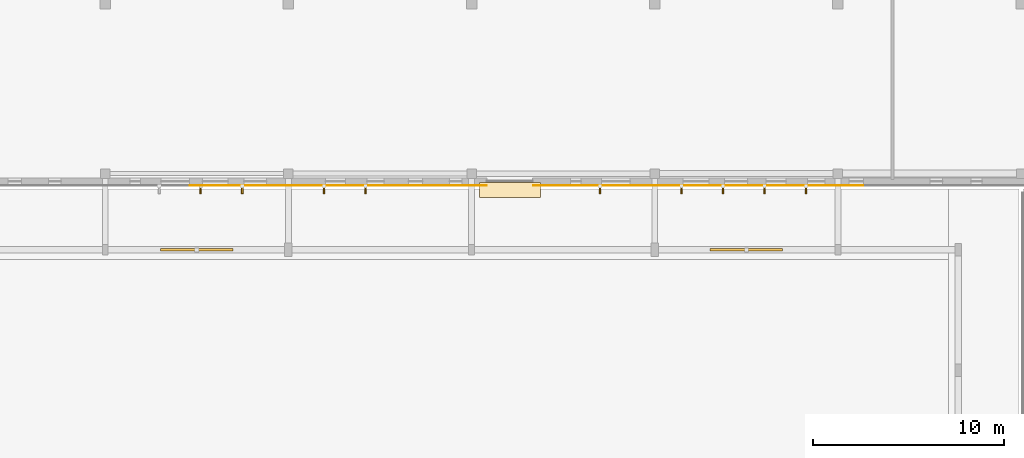
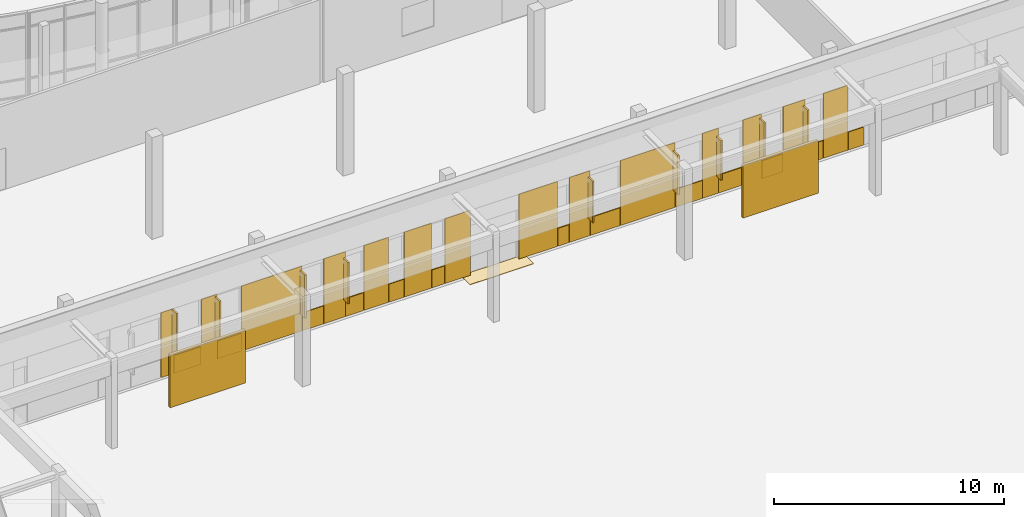
# One storey, part 64 of 84: 28 coverings, 11 shading devices.
"""IFC4 building model written with IfcOpenShell, lengths in metres."""

from ifc_helpers import new_model, si_unit, direction, frame, origin, origin_2d, place, context, subcontext, project, spatial, rectangle, extrude, material, layer, layer_set, type_object, element, save


model = new_model("IFC4")

# Units and contexts
model_context = context("Model", 3, precision=1e-05, world=origin(), true_north=direction((0.0, 1.0)))
body_context = subcontext(model_context, "Body", "Model", "MODEL_VIEW")
ifc_project = project(units=[si_unit("LENGTHUNIT", "METRE"), si_unit("AREAUNIT", "SQUARE_METRE"), si_unit("VOLUMEUNIT", "CUBIC_METRE"), si_unit("PLANEANGLEUNIT", "RADIAN"), si_unit("MASSUNIT", "GRAM", prefix="KILO")], contexts=[model_context])

# Site, building, storey
site_placement = place(None, origin())
site = spatial("IfcSite", under=ifc_project, at=site_placement, CompositionType="ELEMENT")
building_placement = place(site_placement, origin())
building = spatial("IfcBuilding", under=site, at=building_placement, Name="Mzevani Central Library", CompositionType="ELEMENT")
storey_placement = place(building_placement, origin())
storey = spatial("IfcBuildingStorey", under=building, at=storey_placement, Name="L00", CompositionType="ELEMENT", Elevation=0.0)

# Shading devices
ifc_material_1 = material(Name="Anodized architectural bronze")
shading_device_type_1 = type_object("IfcShadingDeviceType", Name="Anodized Bronze Vertical Sun-Breaker Fin", PredefinedType="USERDEFINED", material=ifc_material_1)
shading_device_1_placement = place(storey_placement, frame((100.72998046875, 42.27490234375, 0.9501953125), z_axis=(0.0, 0.0, 1.0), x_axis=(-1.0, 0.0, 0.0)))
element("IfcShadingDevice", 1, at=shading_device_1_placement, inside=storey, type_object=shading_device_type_1, Name="L00 V1 Solar Fin (19)", ObjectType="SOLAR FIN", PredefinedType="USERDEFINED", context=body_context, shape_type="SweptSolid", body=[
    extrude(rectangle(XDim=0.080078125, YDim=0.449951171875, at=origin_2d()), origin(), (0.0, 0.0, 1.0), 2.199951171875),
])
shading_device_2_placement = place(storey_placement, frame((98.554931640625, 42.27490234375, 0.9501953125), z_axis=(0.0, 0.0, 1.0), x_axis=(-1.0, 0.0, 0.0)))
element("IfcShadingDevice", 2, at=shading_device_2_placement, inside=storey, type_object=shading_device_type_1, Name="L00 V1 Solar Fin (20)", ObjectType="SOLAR FIN", PredefinedType="USERDEFINED", context=body_context, shape_type="SweptSolid", body=[
    extrude(rectangle(XDim=0.080078125, YDim=0.449951171875, at=origin_2d()), origin(), (0.0, 0.0, 1.0), 2.300048828125),
])
for number, where, z_axis, x_axis, name in (
    (3, (96.3798828125, 42.27490234375, 0.949951171875), (0.0, 0.0, 1.0), (-1.0, 0.0, 0.0), "L00 V1 Solar Fin (21)"),
    (4, (94.205078125, 42.27490234375, 0.949951171875), (0.0, 0.0, 1.0), (-1.0, 0.0, 0.0), "L00 V1 Solar Fin (22)"),
):
    element("IfcShadingDevice", number, at=place(storey_placement, frame(where, z_axis=z_axis, x_axis=x_axis)), inside=storey, type_object=shading_device_type_1, Name=name, ObjectType="SOLAR FIN", PredefinedType="USERDEFINED", context=body_context, shape_type="SweptSolid", body=[
        extrude(rectangle(XDim=0.080078125, YDim=0.449951171875, at=origin_2d()), origin(), (0.0, 0.0, 1.0), 2.10009765625),
    ])
for number, where, z_axis, x_axis, name in (
    (5, (89.929931640625, 42.27490234375, 0.9501953125), (0.0, 0.0, 1.0), (-1.0, 0.0, 0.0), "L00 V1 Solar Fin (23)"),
    (6, (77.6298828125, 42.27490234375, 0.9501953125), (0.0, 0.0, 1.0), (-1.0, 0.0, 0.0), "L00 V1 Solar Fin (27)"),
):
    element("IfcShadingDevice", number, at=place(storey_placement, frame(where, z_axis=z_axis, x_axis=x_axis)), inside=storey, type_object=shading_device_type_1, Name=name, ObjectType="SOLAR FIN", PredefinedType="USERDEFINED", context=body_context, shape_type="SweptSolid", body=[
        extrude(rectangle(XDim=0.080078125, YDim=0.449951171875, at=origin_2d()), origin(), (0.0, 0.0, 1.0), 2.199951171875),
    ])
shading_device_3_placement = place(storey_placement, frame((75.455078125, 42.27490234375, 0.9501953125), z_axis=(0.0, 0.0, 1.0), x_axis=(-1.0, 0.0, 0.0)))
element("IfcShadingDevice", 7, at=shading_device_3_placement, inside=storey, type_object=shading_device_type_1, Name="L00 V1 Solar Fin (28)", ObjectType="SOLAR FIN", PredefinedType="USERDEFINED", context=body_context, shape_type="SweptSolid", body=[
    extrude(rectangle(XDim=0.080078125, YDim=0.449951171875, at=origin_2d()), origin(), (0.0, 0.0, 1.0), 2.300048828125),
])
shading_device_4_placement = place(storey_placement, frame((71.179931640625, 42.27490234375, 0.949951171875), z_axis=(0.0, 0.0, 1.0), x_axis=(-1.0, 0.0, 0.0)))
element("IfcShadingDevice", 8, at=shading_device_4_placement, inside=storey, type_object=shading_device_type_1, Name="L00 V1 Solar Fin (29)", ObjectType="SOLAR FIN", PredefinedType="USERDEFINED", context=body_context, shape_type="SweptSolid", body=[
    extrude(rectangle(XDim=0.080078125, YDim=0.449951171875, at=origin_2d()), origin(), (0.0, 0.0, 1.0), 2.39990234375),
])
shading_device_5_placement = place(storey_placement, frame((69.0048828125, 42.27490234375, 0.949951171875), z_axis=(0.0, 0.0, 1.0), x_axis=(-1.0, 0.0, 0.0)))
element("IfcShadingDevice", 9, at=shading_device_5_placement, inside=storey, type_object=shading_device_type_1, Name="L00 V1 Solar Fin (30)", ObjectType="SOLAR FIN", PredefinedType="USERDEFINED", context=body_context, shape_type="SweptSolid", body=[
    extrude(rectangle(XDim=0.080078125, YDim=0.449951171875, at=origin_2d()), origin(), (0.0, 0.0, 1.0), 2.5),
])

# Coverings
ifc_material_2 = material(Name="Limestone ashlar cladding", Category="masonry")
ifc_layer_1 = layer(ifc_material_2, 0.050048828125, Name="Limestone Ashlar Spandrel Cladding")
ifc_layer_set_1 = layer_set([ifc_layer_1], Name="Limestone ashlar cladding")
covering_type_1 = type_object("IfcCoveringType", Name="Limestone Ashlar Spandrel Cladding", PredefinedType="CLADDING", material=ifc_layer_set_1)
covering_1_placement = place(storey_placement, frame((103.360107421875, 42.47607421875, 0.0), z_axis=(0.0, 0.0, 1.0), x_axis=(-1.0, 0.0, 0.0)))
element("IfcCovering", 10, at=covering_1_placement, inside=storey, type_object=covering_type_1, Name="L00 Warm-White Sill Cladding 36 (EW4-V1-L00-0002)", PredefinedType="CLADDING", context=body_context, shape_type="SweptSolid", body=[
    extrude(rectangle(XDim=0.75, YDim=0.050048828125, at=origin_2d()), origin(), (0.0, 0.0, 1.0), 0.949951171875),
])
covering_2_placement = place(storey_placement, frame((102.347412109375, 42.47607421875, 0.0), z_axis=(0.0, 0.0, 1.0), x_axis=(-1.0, 0.0, 0.0)))
element("IfcCovering", 11, at=covering_2_placement, inside=storey, type_object=covering_type_1, Name="L00 Warm-White Facade Pier 37 (EW4-V1-L00-0002)", PredefinedType="CLADDING", context=body_context, shape_type="SweptSolid", body=[
    extrude(rectangle(XDim=1.235107421875, YDim=0.050048828125, at=origin_2d()), origin(), (0.0, 0.0, 1.0), 3.449951171875),
])
covering_3_placement = place(storey_placement, frame((101.260009765625, 42.47607421875, 0.0), z_axis=(0.0, 0.0, 1.0), x_axis=(-1.0, 0.0, 0.0)))
element("IfcCovering", 12, at=covering_3_placement, inside=storey, type_object=covering_type_1, Name="L00 Warm-White Sill Cladding 38 (EW4-V1-L00-0002)", PredefinedType="CLADDING", context=body_context, shape_type="SweptSolid", body=[
    extrude(rectangle(XDim=0.89990234375, YDim=0.050048828125, at=origin_2d()), origin(), (0.0, 0.0, 1.0), 0.949951171875),
])
covering_4_placement = place(storey_placement, frame((100.24755859375, 42.47607421875, 0.0), z_axis=(0.0, 0.0, 1.0), x_axis=(-1.0, 0.0, 0.0)))
element("IfcCovering", 13, at=covering_4_placement, inside=storey, type_object=covering_type_1, Name="L00 Warm-White Facade Pier 39 (EW4-V1-L00-0002)", PredefinedType="CLADDING", context=body_context, shape_type="SweptSolid", body=[
    extrude(rectangle(XDim=1.0849609375, YDim=0.050048828125, at=origin_2d()), origin(), (0.0, 0.0, 1.0), 3.449951171875),
])
covering_5_placement = place(storey_placement, frame((99.159912109375, 42.47607421875, 0.0), z_axis=(0.0, 0.0, 1.0), x_axis=(-1.0, 0.0, 0.0)))
element("IfcCovering", 14, at=covering_5_placement, inside=storey, type_object=covering_type_1, Name="L00 Warm-White Sill Cladding 40 (EW4-V1-L00-0002)", PredefinedType="CLADDING", context=body_context, shape_type="SweptSolid", body=[
    extrude(rectangle(XDim=1.050048828125, YDim=0.050048828125, at=origin_2d()), origin(), (0.0, 0.0, 1.0), 0.949951171875),
])
covering_6_placement = place(storey_placement, frame((98.1474609375, 42.47607421875, 0.0), z_axis=(0.0, 0.0, 1.0), x_axis=(-1.0, 0.0, 0.0)))
element("IfcCovering", 15, at=covering_6_placement, inside=storey, type_object=covering_type_1, Name="L00 Warm-White Facade Pier 41 (EW4-V1-L00-0002)", PredefinedType="CLADDING", context=body_context, shape_type="SweptSolid", body=[
    extrude(rectangle(XDim=0.93505859375, YDim=0.050048828125, at=origin_2d()), origin(), (0.0, 0.0, 1.0), 3.449951171875),
])
covering_7_placement = place(storey_placement, frame((97.06005859375, 42.47607421875, 0.0), z_axis=(0.0, 0.0, 1.0), x_axis=(-1.0, 0.0, 0.0)))
element("IfcCovering", 16, at=covering_7_placement, inside=storey, type_object=covering_type_1, Name="L00 Warm-White Sill Cladding 42 (EW4-V1-L00-0002)", PredefinedType="CLADDING", context=body_context, shape_type="SweptSolid", body=[
    extrude(rectangle(XDim=1.199951171875, YDim=0.050048828125, at=origin_2d()), origin(), (0.0, 0.0, 1.0), 0.949951171875),
])
covering_8_placement = place(storey_placement, frame((96.047607421875, 42.47607421875, 0.0), z_axis=(0.0, 0.0, 1.0), x_axis=(-1.0, 0.0, 0.0)))
element("IfcCovering", 17, at=covering_8_placement, inside=storey, type_object=covering_type_1, Name="L00 Warm-White Facade Pier 43 (EW4-V1-L00-0002)", PredefinedType="CLADDING", context=body_context, shape_type="SweptSolid", body=[
    extrude(rectangle(XDim=0.784912109375, YDim=0.050048828125, at=origin_2d()), origin(), (0.0, 0.0, 1.0), 3.449951171875),
])
covering_9_placement = place(storey_placement, frame((94.9599609375, 42.47607421875, 0.0), z_axis=(0.0, 0.0, 1.0), x_axis=(-1.0, 0.0, 0.0)))
element("IfcCovering", 18, at=covering_9_placement, inside=storey, type_object=covering_type_1, Name="L00 Warm-White Sill Cladding 44 (EW4-V1-L00-0002)", PredefinedType="CLADDING", context=body_context, shape_type="SweptSolid", body=[
    extrude(rectangle(XDim=1.35009765625, YDim=0.050048828125, at=origin_2d()), origin(), (0.0, 0.0, 1.0), 0.949951171875),
])
covering_10_placement = place(storey_placement, frame((92.8974609375, 42.47607421875, 0.0), z_axis=(0.0, 0.0, 1.0), x_axis=(-1.0, 0.0, 0.0)))
element("IfcCovering", 19, at=covering_10_placement, inside=storey, type_object=covering_type_1, Name="L00 Warm-White Facade Pier 45 (EW4-V1-L00-0002)", PredefinedType="CLADDING", context=body_context, shape_type="SweptSolid", body=[
    extrude(rectangle(XDim=2.735107421875, YDim=0.050048828125, at=origin_2d()), origin(), (0.0, 0.0, 1.0), 3.449951171875),
])
covering_11_placement = place(storey_placement, frame((90.760009765625, 42.47607421875, 0.0), z_axis=(0.0, 0.0, 1.0), x_axis=(-1.0, 0.0, 0.0)))
element("IfcCovering", 20, at=covering_11_placement, inside=storey, type_object=covering_type_1, Name="L00 Warm-White Sill Cladding 46 (EW4-V1-L00-0002)", PredefinedType="CLADDING", context=body_context, shape_type="SweptSolid", body=[
    extrude(rectangle(XDim=1.5, YDim=0.050048828125, at=origin_2d()), origin(), (0.0, 0.0, 1.0), 0.949951171875),
])
covering_12_placement = place(storey_placement, frame((89.472412109375, 42.47607421875, 0.0), z_axis=(0.0, 0.0, 1.0), x_axis=(-1.0, 0.0, 0.0)))
element("IfcCovering", 21, at=covering_12_placement, inside=storey, type_object=covering_type_1, Name="L00 Warm-White Facade Pier 47 (EW4-V1-L00-0002)", PredefinedType="CLADDING", context=body_context, shape_type="SweptSolid", body=[
    extrude(rectangle(XDim=1.034912109375, YDim=0.050048828125, at=origin_2d()), origin(), (0.0, 0.0, 1.0), 3.449951171875),
])
covering_13_placement = place(storey_placement, frame((88.659912109375, 42.47607421875, 0.0), z_axis=(0.0, 0.0, 1.0), x_axis=(-1.0, 0.0, 0.0)))
element("IfcCovering", 22, at=covering_13_placement, inside=storey, type_object=covering_type_1, Name="L00 Warm-White Sill Cladding 48 (EW4-V1-L00-0002)", PredefinedType="CLADDING", context=body_context, shape_type="SweptSolid", body=[
    extrude(rectangle(XDim=0.550048828125, YDim=0.050048828125, at=origin_2d()), origin(), (0.0, 0.0, 1.0), 0.949951171875),
])
covering_14_placement = place(storey_placement, frame((87.394287109375, 42.47607421875, 0.0), z_axis=(0.0, 0.0, 1.0), x_axis=(-1.0, 0.0, 0.0)))
element("IfcCovering", 23, at=covering_14_placement, inside=storey, type_object=covering_type_1, Name="L00 Warm-White Facade Pier 49 (EW4-V1-L00-0002)", PredefinedType="CLADDING", context=body_context, shape_type="SweptSolid", body=[
    extrude(rectangle(XDim=1.94140625, YDim=0.050048828125, at=origin_2d()), origin(), (0.0, 0.0, 1.0), 3.449951171875),
])
covering_15_placement = place(storey_placement, frame((83.34423828125, 42.47607421875, 0.0), z_axis=(0.0, 0.0, 1.0), x_axis=(-1.0, 0.0, 0.0)))
element("IfcCovering", 24, at=covering_15_placement, inside=storey, type_object=covering_type_1, Name="L00 Warm-White Facade Pier 50 (EW4-V1-L00-0002)", PredefinedType="CLADDING", context=body_context, shape_type="SweptSolid", body=[
    extrude(rectangle(XDim=1.278564453125, YDim=0.050048828125, at=origin_2d()), origin(), (0.0, 0.0, 1.0), 3.449951171875),
])
covering_16_placement = place(storey_placement, frame((82.360107421875, 42.47607421875, 0.0), z_axis=(0.0, 0.0, 1.0), x_axis=(-1.0, 0.0, 0.0)))
element("IfcCovering", 25, at=covering_16_placement, inside=storey, type_object=covering_type_1, Name="L00 Warm-White Sill Cladding 51 (EW4-V1-L00-0002)", PredefinedType="CLADDING", context=body_context, shape_type="SweptSolid", body=[
    extrude(rectangle(XDim=0.64990234375, YDim=0.050048828125, at=origin_2d()), origin(), (0.0, 0.0, 1.0), 0.949951171875),
])
covering_17_placement = place(storey_placement, frame((81.3349609375, 42.47607421875, 0.0), z_axis=(0.0, 0.0, 1.0), x_axis=(-1.0, 0.0, 0.0)))
element("IfcCovering", 26, at=covering_17_placement, inside=storey, type_object=covering_type_1, Name="L00 Warm-White Facade Pier 52 (EW4-V1-L00-0002)", PredefinedType="CLADDING", context=body_context, shape_type="SweptSolid", body=[
    extrude(rectangle(XDim=1.360107421875, YDim=0.050048828125, at=origin_2d()), origin(), (0.0, 0.0, 1.0), 3.449951171875),
])
covering_18_placement = place(storey_placement, frame((80.260009765625, 42.47607421875, 0.0), z_axis=(0.0, 0.0, 1.0), x_axis=(-1.0, 0.0, 0.0)))
element("IfcCovering", 27, at=covering_18_placement, inside=storey, type_object=covering_type_1, Name="L00 Warm-White Sill Cladding 53 (EW4-V1-L00-0002)", PredefinedType="CLADDING", context=body_context, shape_type="SweptSolid", body=[
    extrude(rectangle(XDim=0.75, YDim=0.050048828125, at=origin_2d()), origin(), (0.0, 0.0, 1.0), 0.949951171875),
])
covering_19_placement = place(storey_placement, frame((79.24755859375, 42.47607421875, 0.0), z_axis=(0.0, 0.0, 1.0), x_axis=(-1.0, 0.0, 0.0)))
element("IfcCovering", 28, at=covering_19_placement, inside=storey, type_object=covering_type_1, Name="L00 Warm-White Facade Pier 54 (EW4-V1-L00-0002)", PredefinedType="CLADDING", context=body_context, shape_type="SweptSolid", body=[
    extrude(rectangle(XDim=1.235107421875, YDim=0.050048828125, at=origin_2d()), origin(), (0.0, 0.0, 1.0), 3.449951171875),
])
covering_20_placement = place(storey_placement, frame((78.159912109375, 42.47607421875, 0.0), z_axis=(0.0, 0.0, 1.0), x_axis=(-1.0, 0.0, 0.0)))
element("IfcCovering", 29, at=covering_20_placement, inside=storey, type_object=covering_type_1, Name="L00 Warm-White Sill Cladding 55 (EW4-V1-L00-0002)", PredefinedType="CLADDING", context=body_context, shape_type="SweptSolid", body=[
    extrude(rectangle(XDim=0.89990234375, YDim=0.050048828125, at=origin_2d()), origin(), (0.0, 0.0, 1.0), 0.949951171875),
])
covering_21_placement = place(storey_placement, frame((77.1474609375, 42.47607421875, 0.0), z_axis=(0.0, 0.0, 1.0), x_axis=(-1.0, 0.0, 0.0)))
element("IfcCovering", 30, at=covering_21_placement, inside=storey, type_object=covering_type_1, Name="L00 Warm-White Facade Pier 56 (EW4-V1-L00-0002)", PredefinedType="CLADDING", context=body_context, shape_type="SweptSolid", body=[
    extrude(rectangle(XDim=1.0849609375, YDim=0.050048828125, at=origin_2d()), origin(), (0.0, 0.0, 1.0), 3.449951171875),
])
covering_22_placement = place(storey_placement, frame((76.06005859375, 42.47607421875, 0.0), z_axis=(0.0, 0.0, 1.0), x_axis=(-1.0, 0.0, 0.0)))
element("IfcCovering", 31, at=covering_22_placement, inside=storey, type_object=covering_type_1, Name="L00 Warm-White Sill Cladding 57 (EW4-V1-L00-0002)", PredefinedType="CLADDING", context=body_context, shape_type="SweptSolid", body=[
    extrude(rectangle(XDim=1.050048828125, YDim=0.050048828125, at=origin_2d()), origin(), (0.0, 0.0, 1.0), 0.949951171875),
])
covering_23_placement = place(storey_placement, frame((73.99755859375, 42.47607421875, 0.0), z_axis=(0.0, 0.0, 1.0), x_axis=(-1.0, 0.0, 0.0)))
element("IfcCovering", 32, at=covering_23_placement, inside=storey, type_object=covering_type_1, Name="L00 Warm-White Facade Pier 58 (EW4-V1-L00-0002)", PredefinedType="CLADDING", context=body_context, shape_type="SweptSolid", body=[
    extrude(rectangle(XDim=3.034912109375, YDim=0.050048828125, at=origin_2d()), origin(), (0.0, 0.0, 1.0), 3.449951171875),
])
covering_24_placement = place(storey_placement, frame((71.860107421875, 42.47607421875, 0.0), z_axis=(0.0, 0.0, 1.0), x_axis=(-1.0, 0.0, 0.0)))
element("IfcCovering", 33, at=covering_24_placement, inside=storey, type_object=covering_type_1, Name="L00 Warm-White Sill Cladding 59 (EW4-V1-L00-0002)", PredefinedType="CLADDING", context=body_context, shape_type="SweptSolid", body=[
    extrude(rectangle(XDim=1.199951171875, YDim=0.050048828125, at=origin_2d()), origin(), (0.0, 0.0, 1.0), 0.949951171875),
])
covering_25_placement = place(storey_placement, frame((70.847412109375, 42.47607421875, 0.0), z_axis=(0.0, 0.0, 1.0), x_axis=(-1.0, 0.0, 0.0)))
element("IfcCovering", 34, at=covering_25_placement, inside=storey, type_object=covering_type_1, Name="L00 Warm-White Facade Pier 60 (EW4-V1-L00-0002)", PredefinedType="CLADDING", context=body_context, shape_type="SweptSolid", body=[
    extrude(rectangle(XDim=0.784912109375, YDim=0.050048828125, at=origin_2d()), origin(), (0.0, 0.0, 1.0), 3.449951171875),
])
covering_26_placement = place(storey_placement, frame((69.760009765625, 42.47607421875, 0.0), z_axis=(0.0, 0.0, 1.0), x_axis=(-1.0, 0.0, 0.0)))
element("IfcCovering", 35, at=covering_26_placement, inside=storey, type_object=covering_type_1, Name="L00 Warm-White Sill Cladding 61 (EW4-V1-L00-0002)", PredefinedType="CLADDING", context=body_context, shape_type="SweptSolid", body=[
    extrude(rectangle(XDim=1.35009765625, YDim=0.050048828125, at=origin_2d()), origin(), (0.0, 0.0, 1.0), 0.949951171875),
])
covering_27_placement = place(storey_placement, frame((68.74755859375, 42.47607421875, 0.0), z_axis=(0.0, 0.0, 1.0), x_axis=(-1.0, 0.0, 0.0)))
element("IfcCovering", 36, at=covering_27_placement, inside=storey, type_object=covering_type_1, Name="L00 Warm-White Facade Pier 62 (EW4-V1-L00-0002)", PredefinedType="CLADDING", context=body_context, shape_type="SweptSolid", body=[
    extrude(rectangle(XDim=0.635009765625, YDim=0.050048828125, at=origin_2d()), origin(), (0.0, 0.0, 1.0), 3.449951171875),
])

# Shading devices
ifc_material_3 = material(Name="Precast concrete C40/50", Category="concrete")
ifc_layer_2 = layer(ifc_material_3, 0.139892578125, Name="Precast Concrete Desert Breeze-Block Screen")
ifc_layer_set_2 = layer_set([ifc_layer_2], Name="Precast concrete C40/50")
shading_device_type_2 = type_object("IfcShadingDeviceType", Name="Precast Concrete Desert Breeze-Block Screen", PredefinedType="JALOUSIE", material=ifc_layer_set_2)
for number, where, z_axis, x_axis, name in (
    (37, (68.800048828125, 39.10009765625, 1.0), (0.0, 0.0, 1.0), (1.0, 0.0, 0.0), "L00 Precast Breeze-Block Solar Screen 7"),
    (38, (97.60009765625, 39.10009765625, 1.0), (0.0, 0.0, 1.0), (1.0, 0.0, 0.0), "L00 Precast Breeze-Block Solar Screen 8"),
):
    element("IfcShadingDevice", number, at=place(storey_placement, frame(where, z_axis=z_axis, x_axis=x_axis)), inside=storey, type_object=shading_device_type_2, Name=name, PredefinedType="JALOUSIE", context=body_context, shape_type="SweptSolid", body=[
        extrude(rectangle(XDim=3.800048828125, YDim=0.139892578125, at=origin_2d()), origin(), (0.0, 0.0, 1.0), 2.800048828125),
    ])

# Covering
ifc_material_4 = material(Name="Terrazzo stone flooring", Category="masonry")
ifc_layer_3 = layer(ifc_material_4, 0.030029296875, Name="Terrazzo Stone Floor Finish")
ifc_layer_set_3 = layer_set([ifc_layer_3], Name="Terrazzo stone flooring")
covering_type_2 = type_object("IfcCoveringType", Name="Terrazzo Stone Floor Finish", PredefinedType="FLOORING", material=ifc_layer_set_3)
covering_28_placement = place(storey_placement, frame((85.20361328125, 42.239990234375, -0.0400390625), z_axis=(0.0, 0.0, 1.0), x_axis=(-1.0, 0.0, 0.0)))
element("IfcCovering", 39, at=covering_28_placement, inside=storey, type_object=covering_type_2, Name="L00 V1 Exterior Entrance Threshold Apron (4)", PredefinedType="FLOORING", context=body_context, shape_type="SweptSolid", body=[
    extrude(rectangle(XDim=3.199951171875, YDim=0.800048828125, at=origin_2d()), origin(), (0.0, 0.0, 1.0), 0.0400390625),
])

save(model, "model.ifc")
